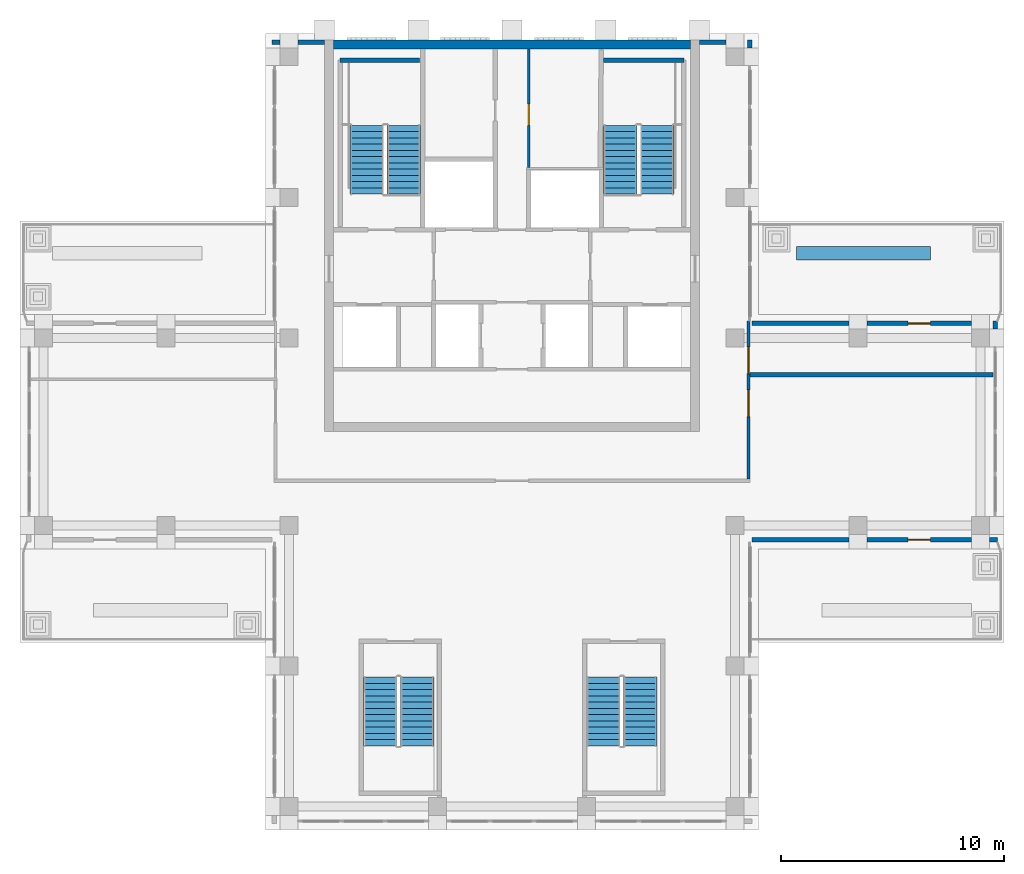
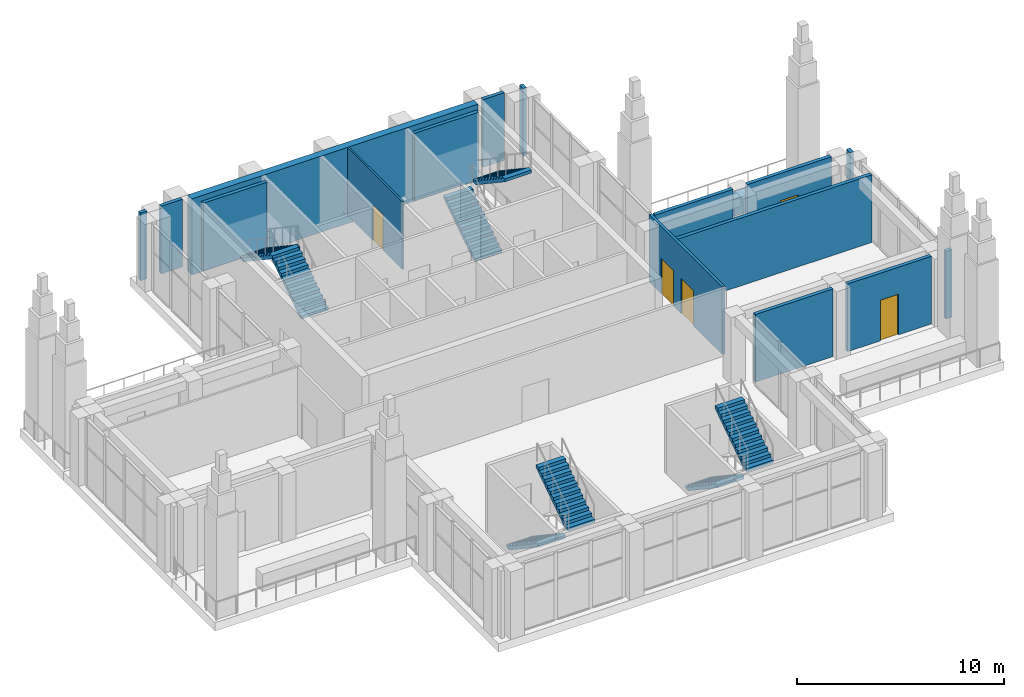
# One storey, part 10 of 14: 17 walls, 8 stair flights, 5 doors, 5 openings, 4 elements without a shape of their own.
"""IFC4 building model written with IfcOpenShell, lengths in metres."""

from ifc_helpers import new_model, si_unit, direction, frame, frame_2d, origin, place, context, subcontext, project, spatial, polyline, rectangle, outline, extrude, material, layer, layer_set, type_object, element, fill, aggregate, save


model = new_model("IFC4")

# Units and contexts
model_context = context("Model", 3, precision=1e-05, world=origin(), true_north=direction((0.0, 1.0)))
body_context = subcontext(model_context, "Body", "Model", "MODEL_VIEW")
ifc_project = project(units=[si_unit("LENGTHUNIT", "METRE"), si_unit("AREAUNIT", "SQUARE_METRE"), si_unit("VOLUMEUNIT", "CUBIC_METRE"), si_unit("PLANEANGLEUNIT", "RADIAN"), si_unit("MASSUNIT", "GRAM", prefix="KILO")], contexts=[model_context])

# Site, building, storey
site_placement = place(None, origin())
site = spatial("IfcSite", under=ifc_project, at=site_placement, CompositionType="ELEMENT")
building_placement = place(site_placement, origin())
building = spatial("IfcBuilding", under=site, at=building_placement, Name="Vermilion Ogive Tower", CompositionType="ELEMENT")
storey_placement = place(building_placement, frame((0.0, 0.0, 284.85009765625)))
storey = spatial("IfcBuildingStorey", under=building, at=storey_placement, Name="L74", CompositionType="ELEMENT", Elevation=284.85009765625)

# Wall
ifc_material_1 = material(Name="Concrete B60", Category="concrete")
ifc_layer_1 = layer(ifc_material_1, 0.39990234375)
ifc_layer_set_1 = layer_set([ifc_layer_1], Name="Core wall 400 B60")
wall_type_1 = type_object("IfcWallType", Name="Core wall 400 B60", PredefinedType="SHEAR", material=ifc_layer_set_1)
wall_1_placement = place(storey_placement, frame((-8.0, 21.550048828125, -0.5), z_axis=(0.0, 0.0, 1.0), x_axis=(1.0, 0.0, 0.0)))
element("IfcWall", 1, at=wall_1_placement, inside=storey, type_object=wall_type_1, Name="L74-CORE-N", PredefinedType="SHEAR", context=body_context, shape_type="SweptSolid", body=[
    extrude(rectangle(XDim=16.0, YDim=0.39990234375, at=frame_2d((8.0, 0.0))), origin(), (0.0, 0.0, 1.0), 4.5),
])

# Wall, opening, door
ifc_material_2 = material(Name="Gypsum board partition on steel studs", Category="steel")
ifc_layer_2 = layer(ifc_material_2, 0.10009765625)
ifc_layer_set_2 = layer_set([ifc_layer_2], Name="Partition 100 bath")
wall_type_2 = type_object("IfcWallType", Name="Partition 100 bath", PredefinedType="PARTITIONING", material=ifc_layer_set_2)
wall_2_placement = place(storey_placement, frame((0.75, 16.050048828125, 0.0), z_axis=(0.0, 0.0, 1.0), x_axis=(0.0, 1.0, 0.0)))
wall_2 = element("IfcWall", 2, at=wall_2_placement, inside=storey, type_object=wall_type_2, Name="L74-CK-W-W017", PredefinedType="PARTITIONING", context=body_context, shape_type="SweptSolid", body=[
    extrude(rectangle(XDim=5.299072265625, YDim=0.10009765625, at=frame_2d((2.6494140625, 0.0))), origin(), (0.0, 0.0, 1.0), 4.0),
])
opening_1_placement = place(wall_2_placement, frame((1.875, 0.0, 0.0)))
opening_1 = element("IfcOpeningElement", 3, at=opening_1_placement, cuts=wall_2, Name="Opening DAE047", PredefinedType="OPENING", context=body_context, shape_type="SweptSolid", body=[
    extrude(rectangle(XDim=0.949951171875, YDim=2.10009765625, at=frame_2d((0.47509765625, 1.050048828125))), frame((0.0, 0.06005859375, 0.0), z_axis=(0.0, -1.0, 0.0), x_axis=(1.0, 0.0, 0.0)), (0.0, 0.0, 1.0), 0.1201171875),
])
ifc_material_3 = material(Name="Timber door leaf", Category="wood")
door_type_1 = type_object("IfcDoorType", Name="Service door 950 x 2100 FD60", OperationType="SINGLE_SWING_LEFT", PredefinedType="DOOR", material=ifc_material_3)
door_1_placement = place(opening_1_placement, origin())
door_1 = element("IfcDoor", 4, at=door_1_placement, inside=storey, type_object=door_type_1, Name="L74-CK-D-D013", OperationType="SINGLE_SWING_LEFT", OverallHeight=2.10009765625, OverallWidth=0.949951171875, PredefinedType="DOOR", context=body_context, shape_type="SweptSolid", body=[
    extrude(rectangle(XDim=0.949951171875, YDim=2.10009765625, at=frame_2d((0.47509765625, 1.050048828125))), frame((0.0, 0.02490234375, 0.0), z_axis=(0.0, -1.0, 0.0), x_axis=(1.0, 0.0, 0.0)), (0.0, 0.0, 1.0), 0.050048828125),
])
fill(opening_1, door_1)

# Wall, openings, doors
ifc_material_4 = material(Name="Gypsum board partition on steel studs", Category="steel")
ifc_layer_3 = layer(ifc_material_4, 0.14990234375)
ifc_layer_set_3 = layer_set([ifc_layer_3], Name="Partition 150 corridor")
wall_type_3 = type_object("IfcWallType", Name="Partition 150 corridor", PredefinedType="PARTITIONING", material=ifc_layer_set_3)
wall_3_placement = place(storey_placement, frame((10.60009765625, 2.074951171875, 0.0), z_axis=(0.0, 0.0, 1.0), x_axis=(0.0, 1.0, 0.0)))
wall_3 = element("IfcWall", 5, at=wall_3_placement, inside=storey, type_object=wall_type_3, Name="L74-FS-W-W006", PredefinedType="PARTITIONING", context=body_context, shape_type="SweptSolid", body=[
    extrude(rectangle(XDim=7.074951171875, YDim=0.14990234375, at=frame_2d((3.53759765625, 0.0))), origin(), (0.0, 0.0, 1.0), 4.0),
])
opening_2_placement = place(wall_3_placement, frame((2.800048828125, 0.0, 0.0)))
opening_2 = element("IfcOpeningElement", 6, at=opening_2_placement, cuts=wall_3, Name="Opening L74S004", PredefinedType="OPENING", context=body_context, shape_type="SweptSolid", body=[
    extrude(rectangle(XDim=1.199951171875, YDim=2.10009765625, at=frame_2d((0.60009765625, 1.050048828125))), frame((0.0, 0.0849609375, 0.0), z_axis=(0.0, -1.0, 0.0), x_axis=(1.0, 0.0, 0.0)), (0.0, 0.0, 1.0), 0.169921875),
])
opening_3_placement = place(wall_3_placement, frame((4.724853515625, 0.0, 0.0)))
opening_3 = element("IfcOpeningElement", 7, at=opening_3_placement, cuts=wall_3, Name="Opening L74S005", PredefinedType="OPENING", context=body_context, shape_type="SweptSolid", body=[
    extrude(rectangle(XDim=1.199951171875, YDim=2.10009765625, at=frame_2d((0.60009765625, 1.050048828125))), frame((0.0, 0.0849609375, 0.0), z_axis=(0.0, -1.0, 0.0), x_axis=(1.0, 0.0, 0.0)), (0.0, 0.0, 1.0), 0.169921875),
])
ifc_material_5 = material(Name="Timber door leaf", Category="wood")
door_type_2 = type_object("IfcDoorType", Name="Room door 1200 x 2100 FD30", OperationType="SINGLE_SWING_LEFT", PredefinedType="DOOR", material=ifc_material_5)
door_2_placement = place(opening_2_placement, origin())
door_2 = element("IfcDoor", 8, at=door_2_placement, inside=storey, type_object=door_type_2, Name="L74-FS-D-D004", OperationType="SINGLE_SWING_LEFT", OverallHeight=2.10009765625, OverallWidth=1.199951171875, PredefinedType="DOOR", context=body_context, shape_type="SweptSolid", body=[
    extrude(rectangle(XDim=1.199951171875, YDim=2.10009765625, at=frame_2d((0.60009765625, 1.050048828125))), frame((0.0, 0.02490234375, 0.0), z_axis=(0.0, -1.0, 0.0), x_axis=(1.0, 0.0, 0.0)), (0.0, 0.0, 1.0), 0.050048828125),
])
fill(opening_2, door_2)
door_3_placement = place(opening_3_placement, origin())
door_3 = element("IfcDoor", 9, at=door_3_placement, inside=storey, type_object=door_type_2, Name="L74-FS-D-D005", OperationType="SINGLE_SWING_RIGHT", OverallHeight=2.10009765625, OverallWidth=1.199951171875, PredefinedType="DOOR", context=body_context, shape_type="SweptSolid", body=[
    extrude(rectangle(XDim=1.199951171875, YDim=2.10009765625, at=frame_2d((0.60009765625, 1.050048828125))), frame((0.0, 0.02490234375, 0.0), z_axis=(0.0, -1.0, 0.0), x_axis=(1.0, 0.0, 0.0)), (0.0, 0.0, 1.0), 0.050048828125),
])
fill(opening_3, door_3)

# Walls
ifc_material_6 = material(Name="Gypsum board partition on steel studs", Category="steel")
ifc_layer_4 = layer(ifc_material_6, 0.199951171875)
ifc_layer_set_4 = layer_set([ifc_layer_4], Name="Partition 200 party")
wall_type_4 = type_object("IfcWallType", Name="Partition 200 party", PredefinedType="PARTITIONING", material=ifc_layer_set_4)
wall_4_placement = place(storey_placement, frame((10.675048828125, 6.75, 0.0), z_axis=(0.0, 0.0, 1.0), x_axis=(1.0, 0.0, 0.0)))
element("IfcWall", 10, at=wall_4_placement, inside=storey, type_object=wall_type_4, Name="L74-FS-W-W003", PredefinedType="PARTITIONING", context=body_context, shape_type="SweptSolid", body=[
    extrude(rectangle(XDim=10.875, YDim=0.199951171875, at=frame_2d((5.4375, 0.0))), origin(), (0.0, 0.0, 1.0), 4.0),
])
ifc_material_7 = material(Name="Concrete B60", Category="concrete")
ifc_layer_5 = layer(ifc_material_7, 0.199951171875)
ifc_layer_set_5 = layer_set([ifc_layer_5], Name="Stair shaft wall 200 Concrete B60")
wall_type_5 = type_object("IfcWallType", Name="Stair shaft wall 200 Concrete B60", PredefinedType="SOLIDWALL", material=ifc_layer_set_5)
wall_5_placement = place(storey_placement, frame((-7.699951171875, 20.85009765625, 0.0), z_axis=(0.0, 0.0, 1.0), x_axis=(1.0, 0.0, 0.0)))
element("IfcWall", 11, at=wall_5_placement, inside=storey, type_object=wall_type_5, Name="L74-SW-R003-N1", PredefinedType="SOLIDWALL", context=body_context, shape_type="SweptSolid", body=[
    extrude(rectangle(XDim=3.550048828125, YDim=0.199951171875, at=frame_2d((1.77490234375, 0.0))), origin(), (0.0, 0.0, 1.0), 4.0),
])
wall_6_placement = place(storey_placement, frame((4.10009765625, 20.85009765625, 0.0), z_axis=(0.0, 0.0, 1.0), x_axis=(1.0, 0.0, 0.0)))
element("IfcWall", 12, at=wall_6_placement, inside=storey, type_object=wall_type_5, Name="L74-SW-R007-N1", PredefinedType="SOLIDWALL", context=body_context, shape_type="SweptSolid", body=[
    extrude(rectangle(XDim=3.599853515625, YDim=0.199951171875, at=frame_2d((1.7998046875, 0.0))), origin(), (0.0, 0.0, 1.0), 4.0),
])
ifc_material_8 = material(Name="Concrete B40", Category="concrete")
ifc_layer_6 = layer(ifc_material_8, 0.60009765625)
ifc_layer_set_6 = layer_set([ifc_layer_6], Name="Terrace planter")
wall_type_6 = type_object("IfcWallType", Name="Terrace planter", PredefinedType="USERDEFINED", material=ifc_layer_set_6)
wall_7_placement = place(storey_placement, frame((12.75, 12.199951171875, 0.0), z_axis=(0.0, 0.0, 1.0), x_axis=(1.0, 0.0, 0.0)))
element("IfcWall", 13, at=wall_7_placement, inside=storey, type_object=wall_type_6, Name="Terrace planter 3.1.1", ObjectType="PLANTER", PredefinedType="USERDEFINED", context=body_context, shape_type="SweptSolid", body=[
    extrude(rectangle(XDim=6.0, YDim=0.60009765625, at=frame_2d((3.0, 0.0))), origin(), (0.0, 0.0, 1.0), 1.0),
])
ifc_material_9 = material(Name="Aluminium window wall framing", Category="aluminium")
ifc_layer_7 = layer(ifc_material_9, 0.199951171875)
ifc_layer_set_7 = layer_set([ifc_layer_7], Name="Window wall")
wall_type_7 = type_object("IfcWallType", Name="Window wall", PredefinedType="STANDARD", material=ifc_layer_set_7)
wall_8_placement = place(storey_placement, frame((10.75, -0.64990234375, 0.0), z_axis=(0.0, 0.0, 1.0), x_axis=(1.0, 0.0, 0.0)))
element("IfcWall", 14, at=wall_8_placement, inside=storey, type_object=wall_type_7, Name="Window wall X21", PredefinedType="STANDARD", context=body_context, shape_type="SweptSolid", body=[
    extrude(rectangle(XDim=4.35009765625, YDim=0.199951171875, at=frame_2d((2.175048828125, 0.0))), origin(), (0.0, 0.0, 1.0), 4.0),
])

# Wall, opening, door
wall_9_placement = place(storey_placement, frame((15.89990234375, -0.64990234375, 0.0), z_axis=(0.0, 0.0, 1.0), x_axis=(1.0, 0.0, 0.0)))
wall_9 = element("IfcWall", 15, at=wall_9_placement, inside=storey, type_object=wall_type_7, Name="Window wall X22", PredefinedType="STANDARD", context=body_context, shape_type="SweptSolid", body=[
    extrude(rectangle(XDim=4.7001953125, YDim=0.199951171875, at=frame_2d((2.35009765625, 0.0))), origin(), (0.0, 0.0, 1.0), 4.0),
])
opening_4_placement = place(wall_9_placement, frame((1.85009765625, 0.0, 0.0)))
opening_4 = element("IfcOpeningElement", 16, at=opening_4_placement, cuts=wall_9, Name="Opening D1-X2X", PredefinedType="OPENING", context=body_context, shape_type="SweptSolid", body=[
    extrude(rectangle(XDim=1.0, YDim=2.39990234375, at=frame_2d((0.5, 1.199951171875))), frame((0.0, 0.10986328125, 0.0), z_axis=(0.0, -1.0, 0.0), x_axis=(1.0, 0.0, 0.0)), (0.0, 0.0, 1.0), 0.219970703125),
])
ifc_material_10 = material(Name="Aluminium framed glazed door", Category="aluminium")
door_type_3 = type_object("IfcDoorType", Name="Balcony door D1", OperationType="SINGLE_SWING_LEFT", PredefinedType="DOOR", material=ifc_material_10)
door_4_placement = place(opening_4_placement, origin())
door_4 = element("IfcDoor", 17, at=door_4_placement, inside=storey, type_object=door_type_3, Name="Balcony door X2X", OperationType="SINGLE_SWING_LEFT", OverallHeight=2.39990234375, OverallWidth=1.0, PredefinedType="DOOR", context=body_context, shape_type="SweptSolid", body=[
    extrude(rectangle(XDim=1.0, YDim=2.39990234375, at=frame_2d((0.5, 1.199951171875))), frame((0.0, 0.02490234375, 0.0), z_axis=(0.0, -1.0, 0.0), x_axis=(1.0, 0.0, 0.0)), (0.0, 0.0, 1.0), 0.050048828125),
])
fill(opening_4, door_4)

# Walls
wall_10_placement = place(storey_placement, frame((21.39990234375, -0.64990234375, 0.0), z_axis=(0.0, 0.0, 1.0), x_axis=(1.0, 0.0, 0.0)))
element("IfcWall", 18, at=wall_10_placement, inside=storey, type_object=wall_type_7, Name="Window wall X23", PredefinedType="STANDARD", context=body_context, shape_type="SweptSolid", body=[
    extrude(rectangle(XDim=0.35009765625, YDim=0.199951171875, at=frame_2d((0.175048828125, 0.0))), origin(), (0.0, 0.0, 1.0), 4.0),
])
wall_11_placement = place(storey_placement, frame((21.64990234375, 8.800048828125, 0.0), z_axis=(0.0, 0.0, 1.0), x_axis=(0.0, 1.0, 0.0)))
element("IfcWall", 19, at=wall_11_placement, inside=storey, type_object=wall_type_7, Name="Window wall E2", PredefinedType="STANDARD", context=body_context, shape_type="SweptSolid", body=[
    extrude(rectangle(XDim=0.349853515625, YDim=0.199951171875, at=frame_2d((0.1748046875, 0.0))), origin(), (0.0, 0.0, 1.0), 4.0),
])

# Wall, opening, door
wall_12_placement = place(storey_placement, frame((20.60009765625, 9.050048828125, 0.0), z_axis=(0.0, 0.0, 1.0), x_axis=(-1.0, 0.0, 0.0)))
wall_12 = element("IfcWall", 20, at=wall_12_placement, inside=storey, type_object=wall_type_7, Name="Window wall X31", PredefinedType="STANDARD", context=body_context, shape_type="SweptSolid", body=[
    extrude(rectangle(XDim=4.7001953125, YDim=0.199951171875, at=frame_2d((2.35009765625, 0.0))), origin(), (0.0, 0.0, 1.0), 4.0),
])
opening_5_placement = place(wall_12_placement, frame((1.85009765625, 0.0, 0.0)))
opening_5 = element("IfcOpeningElement", 21, at=opening_5_placement, cuts=wall_12, Name="Opening D1-X3X", PredefinedType="OPENING", context=body_context, shape_type="SweptSolid", body=[
    extrude(rectangle(XDim=1.0, YDim=2.39990234375, at=frame_2d((0.5, 1.199951171875))), frame((0.0, 0.10986328125, 0.0), z_axis=(0.0, -1.0, 0.0), x_axis=(1.0, 0.0, 0.0)), (0.0, 0.0, 1.0), 0.219970703125),
])
door_5_placement = place(opening_5_placement, origin())
door_5 = element("IfcDoor", 22, at=door_5_placement, inside=storey, type_object=door_type_3, Name="Balcony door X3X", OperationType="SINGLE_SWING_LEFT", OverallHeight=2.39990234375, OverallWidth=1.0, PredefinedType="DOOR", context=body_context, shape_type="SweptSolid", body=[
    extrude(rectangle(XDim=1.0, YDim=2.39990234375, at=frame_2d((0.5, 1.199951171875))), frame((0.0, 0.02490234375, 0.0), z_axis=(0.0, -1.0, 0.0), x_axis=(1.0, 0.0, 0.0)), (0.0, 0.0, 1.0), 0.050048828125),
])
fill(opening_5, door_5)

# Walls
wall_13_placement = place(storey_placement, frame((15.10009765625, 9.050048828125, 0.0), z_axis=(0.0, 0.0, 1.0), x_axis=(-1.0, 0.0, 0.0)))
element("IfcWall", 23, at=wall_13_placement, inside=storey, type_object=wall_type_7, Name="Window wall X32", PredefinedType="STANDARD", context=body_context, shape_type="SweptSolid", body=[
    extrude(rectangle(XDim=4.35009765625, YDim=0.199951171875, at=frame_2d((2.175048828125, 0.0))), origin(), (0.0, 0.0, 1.0), 4.0),
])
wall_14_placement = place(storey_placement, frame((10.64990234375, 21.39990234375, 0.0), z_axis=(0.0, 0.0, 1.0), x_axis=(0.0, 1.0, 0.0)))
element("IfcWall", 24, at=wall_14_placement, inside=storey, type_object=wall_type_7, Name="Window wall X43", PredefinedType="STANDARD", context=body_context, shape_type="SweptSolid", body=[
    extrude(rectangle(XDim=0.35009765625, YDim=0.199951171875, at=frame_2d((0.175048828125, 0.0))), origin(), (0.0, 0.0, 1.0), 4.0),
])
for number, where, z_axis, x_axis, name in (
    (25, (9.60009765625, 21.64990234375, 0.0), (0.0, 0.0, 1.0), (-1.0, 0.0, 0.0), "Window wall N11"),
    (26, (-8.39990234375, 21.64990234375, 0.0), (0.0, 0.0, 1.0), (-1.0, 0.0, 0.0), "Window wall N21"),
):
    element("IfcWall", number, at=place(storey_placement, frame(where, z_axis=z_axis, x_axis=x_axis)), inside=storey, type_object=wall_type_7, Name=name, PredefinedType="STANDARD", context=body_context, shape_type="SweptSolid", body=[
        extrude(rectangle(XDim=1.2001953125, YDim=0.199951171875, at=frame_2d((0.60009765625, 0.0))), origin(), (0.0, 0.0, 1.0), 4.0),
    ])
wall_15_placement = place(storey_placement, frame((-10.39990234375, 21.64990234375, 0.0), z_axis=(0.0, 0.0, 1.0), x_axis=(-1.0, 0.0, 0.0)))
element("IfcWall", 27, at=wall_15_placement, inside=storey, type_object=wall_type_7, Name="Window wall N22", PredefinedType="STANDARD", context=body_context, shape_type="SweptSolid", body=[
    extrude(rectangle(XDim=0.35009765625, YDim=0.199951171875, at=frame_2d((0.175048828125, 0.0))), origin(), (0.0, 0.0, 1.0), 4.0),
])

# Stair, stair flights
ifc_material_11 = material(Name="Concrete B40", Category="concrete")
stair_type = type_object("IfcStairType", Name="Exit stair 1500", PredefinedType="HALF_TURN_STAIR", material=ifc_material_11)
stair_1_placement = place(storey_placement, origin())
stair_1 = element("IfcStair", 28, at=stair_1_placement, inside=storey, type_object=stair_type, Name="L74 Exit Stair ST1", PredefinedType="HALF_TURN_STAIR")
ifc_material_12 = material(Name="Concrete B40", Category="concrete")
stair_flight_type = type_object("IfcStairFlightType", Name="Stair flight 1500", PredefinedType="STRAIGHT", material=ifc_material_12)
stair_flight_1_placement = place(storey_placement, frame((-4.85009765625, 14.85009765625, 0.0), z_axis=(0.0, 0.0, 1.0), x_axis=(0.0, 1.0, 0.0)))
stair_flight_1 = element("IfcStairFlight", 29, at=stair_flight_1_placement, type_object=stair_flight_type, Name="ST1 flight 1", NumberOfRisers=12, NumberOfTreads=11, PredefinedType="STRAIGHT", RiserHeight=0.1875, TreadLength=0.28, context=body_context, shape_type="SweptSolid", body=[
    extrude(outline(polyline([(0.0, 0.0), (0.0, 0.1875), (0.280029296875, 0.1875), (0.280029296875, 0.375), (0.56005859375, 0.375), (0.56005859375, 0.5625), (0.840087890625, 0.5625), (0.840087890625, 0.75), (1.1201171875, 0.75), (1.1201171875, 0.9375), (1.39990234375, 0.9375), (1.39990234375, 1.125), (1.679931640625, 1.125), (1.679931640625, 1.3125), (1.9599609375, 1.3125), (1.9599609375, 1.5), (2.239990234375, 1.5), (2.239990234375, 1.6875), (2.52001953125, 1.6875), (2.52001953125, 1.875), (2.800048828125, 1.875), (2.800048828125, 2.0625), (3.080078125, 2.0625), (3.080078125, 2.25), (3.080078125, 1.882080078125), (0.26953125, 0.0), (0.0, 0.0)])), frame((0.0, 0.75, 0.0), z_axis=(0.0, -1.0, 0.0), x_axis=(1.0, 0.0, 0.0)), (0.0, 0.0, 1.0), 1.5),
])
stair_flight_2_placement = place(storey_placement, frame((-6.5, 17.929931640625, 2.25), z_axis=(0.0, 0.0, 1.0), x_axis=(0.0, -1.0, 0.0)))
stair_flight_2 = element("IfcStairFlight", 30, at=stair_flight_2_placement, type_object=stair_flight_type, Name="ST1 flight 2", NumberOfRisers=12, NumberOfTreads=11, PredefinedType="STRAIGHT", RiserHeight=0.1875, TreadLength=0.28, context=body_context, shape_type="SweptSolid", body=[
    extrude(outline(polyline([(0.0, 0.0), (0.0, 0.1875), (0.280029296875, 0.1875), (0.280029296875, 0.375), (0.56005859375, 0.375), (0.56005859375, 0.5625), (0.840087890625, 0.5625), (0.840087890625, 0.75), (1.1201171875, 0.75), (1.1201171875, 0.9375), (1.39990234375, 0.9375), (1.39990234375, 1.125), (1.679931640625, 1.125), (1.679931640625, 1.3125), (1.9599609375, 1.3125), (1.9599609375, 1.5), (2.239990234375, 1.5), (2.239990234375, 1.6875), (2.52001953125, 1.6875), (2.52001953125, 1.875), (2.800048828125, 1.875), (2.800048828125, 2.0625), (3.080078125, 2.0625), (3.080078125, 2.25), (3.080078125, 1.882080078125), (0.26953125, 0.0), (0.0, 0.0)])), frame((0.0, 0.75, 0.0), z_axis=(0.0, -1.0, 0.0), x_axis=(1.0, 0.0, 0.0)), (0.0, 0.0, 1.0), 1.5),
])
aggregate(stair_1, [stair_flight_1, stair_flight_2])

stair_2_placement = place(storey_placement, origin())
stair_2 = element("IfcStair", 31, at=stair_2_placement, inside=storey, type_object=stair_type, Name="L74 Exit Stair ST2", PredefinedType="HALF_TURN_STAIR")
stair_flight_3_placement = place(storey_placement, frame((4.85009765625, 14.85009765625, 0.0), z_axis=(0.0, 0.0, 1.0), x_axis=(0.0, 1.0, 0.0)))
stair_flight_3 = element("IfcStairFlight", 32, at=stair_flight_3_placement, type_object=stair_flight_type, Name="ST2 flight 1", NumberOfRisers=12, NumberOfTreads=11, PredefinedType="STRAIGHT", RiserHeight=0.1875, TreadLength=0.28, context=body_context, shape_type="SweptSolid", body=[
    extrude(outline(polyline([(0.0, 0.0), (0.0, 0.1875), (0.280029296875, 0.1875), (0.280029296875, 0.375), (0.56005859375, 0.375), (0.56005859375, 0.5625), (0.840087890625, 0.5625), (0.840087890625, 0.75), (1.1201171875, 0.75), (1.1201171875, 0.9375), (1.39990234375, 0.9375), (1.39990234375, 1.125), (1.679931640625, 1.125), (1.679931640625, 1.3125), (1.9599609375, 1.3125), (1.9599609375, 1.5), (2.239990234375, 1.5), (2.239990234375, 1.6875), (2.52001953125, 1.6875), (2.52001953125, 1.875), (2.800048828125, 1.875), (2.800048828125, 2.0625), (3.080078125, 2.0625), (3.080078125, 2.25), (3.080078125, 1.882080078125), (0.26953125, 0.0), (0.0, 0.0)])), frame((0.0, 0.75, 0.0), z_axis=(0.0, -1.0, 0.0), x_axis=(1.0, 0.0, 0.0)), (0.0, 0.0, 1.0), 1.5),
])
stair_flight_4_placement = place(storey_placement, frame((6.5, 17.929931640625, 2.25), z_axis=(0.0, 0.0, 1.0), x_axis=(0.0, -1.0, 0.0)))
stair_flight_4 = element("IfcStairFlight", 33, at=stair_flight_4_placement, type_object=stair_flight_type, Name="ST2 flight 2", NumberOfRisers=12, NumberOfTreads=11, PredefinedType="STRAIGHT", RiserHeight=0.1875, TreadLength=0.28, context=body_context, shape_type="SweptSolid", body=[
    extrude(outline(polyline([(0.0, 0.0), (0.0, 0.1875), (0.280029296875, 0.1875), (0.280029296875, 0.375), (0.56005859375, 0.375), (0.56005859375, 0.5625), (0.840087890625, 0.5625), (0.840087890625, 0.75), (1.1201171875, 0.75), (1.1201171875, 0.9375), (1.39990234375, 0.9375), (1.39990234375, 1.125), (1.679931640625, 1.125), (1.679931640625, 1.3125), (1.9599609375, 1.3125), (1.9599609375, 1.5), (2.239990234375, 1.5), (2.239990234375, 1.6875), (2.52001953125, 1.6875), (2.52001953125, 1.875), (2.800048828125, 1.875), (2.800048828125, 2.0625), (3.080078125, 2.0625), (3.080078125, 2.25), (3.080078125, 1.882080078125), (0.26953125, 0.0), (0.0, 0.0)])), frame((0.0, 0.75, 0.0), z_axis=(0.0, -1.0, 0.0), x_axis=(1.0, 0.0, 0.0)), (0.0, 0.0, 1.0), 1.5),
])
aggregate(stair_2, [stair_flight_3, stair_flight_4])

stair_3_placement = place(storey_placement, origin())
stair_3 = element("IfcStair", 34, at=stair_3_placement, inside=storey, type_object=stair_type, Name="L74 Exit Stair ST6", PredefinedType="HALF_TURN_STAIR")
stair_flight_5_placement = place(storey_placement, frame((4.10009765625, -6.800048828125, 0.0), z_axis=(0.0, 0.0, 1.0), x_axis=(0.0, -1.0, 0.0)))
stair_flight_5 = element("IfcStairFlight", 35, at=stair_flight_5_placement, type_object=stair_flight_type, Name="ST6 flight 1", NumberOfRisers=12, NumberOfTreads=11, PredefinedType="STRAIGHT", RiserHeight=0.1875, TreadLength=0.28, context=body_context, shape_type="SweptSolid", body=[
    extrude(outline(polyline([(0.0, 0.0), (0.0, 0.1875), (0.280029296875, 0.1875), (0.280029296875, 0.375), (0.56005859375, 0.375), (0.56005859375, 0.5625), (0.840087890625, 0.5625), (0.840087890625, 0.75), (1.1201171875, 0.75), (1.1201171875, 0.9375), (1.39990234375, 0.9375), (1.39990234375, 1.125), (1.679931640625, 1.125), (1.679931640625, 1.3125), (1.9599609375, 1.3125), (1.9599609375, 1.5), (2.239990234375, 1.5), (2.239990234375, 1.6875), (2.52001953125, 1.6875), (2.52001953125, 1.875), (2.800048828125, 1.875), (2.800048828125, 2.0625), (3.080078125, 2.0625), (3.080078125, 2.25), (3.080078125, 1.882080078125), (0.26953125, 0.0), (0.0, 0.0)])), frame((0.0, 0.75, 0.0), z_axis=(0.0, -1.0, 0.0), x_axis=(1.0, 0.0, 0.0)), (0.0, 0.0, 1.0), 1.5),
])
stair_flight_6_placement = place(storey_placement, frame((5.75, -9.8798828125, 2.25), z_axis=(0.0, 0.0, 1.0), x_axis=(0.0, 1.0, 0.0)))
stair_flight_6 = element("IfcStairFlight", 36, at=stair_flight_6_placement, type_object=stair_flight_type, Name="ST6 flight 2", NumberOfRisers=12, NumberOfTreads=11, PredefinedType="STRAIGHT", RiserHeight=0.1875, TreadLength=0.28, context=body_context, shape_type="SweptSolid", body=[
    extrude(outline(polyline([(0.0, 0.0), (0.0, 0.1875), (0.280029296875, 0.1875), (0.280029296875, 0.375), (0.56005859375, 0.375), (0.56005859375, 0.5625), (0.840087890625, 0.5625), (0.840087890625, 0.75), (1.1201171875, 0.75), (1.1201171875, 0.9375), (1.39990234375, 0.9375), (1.39990234375, 1.125), (1.679931640625, 1.125), (1.679931640625, 1.3125), (1.9599609375, 1.3125), (1.9599609375, 1.5), (2.239990234375, 1.5), (2.239990234375, 1.6875), (2.52001953125, 1.6875), (2.52001953125, 1.875), (2.800048828125, 1.875), (2.800048828125, 2.0625), (3.080078125, 2.0625), (3.080078125, 2.25), (3.080078125, 1.882080078125), (0.26953125, 0.0), (0.0, 0.0)])), frame((0.0, 0.75, 0.0), z_axis=(0.0, -1.0, 0.0), x_axis=(1.0, 0.0, 0.0)), (0.0, 0.0, 1.0), 1.5),
])
aggregate(stair_3, [stair_flight_5, stair_flight_6])

stair_4_placement = place(storey_placement, origin())
stair_4 = element("IfcStair", 37, at=stair_4_placement, inside=storey, type_object=stair_type, Name="L74 Exit Stair ST7", PredefinedType="HALF_TURN_STAIR")
stair_flight_7_placement = place(storey_placement, frame((-5.89990234375, -6.800048828125, 0.0), z_axis=(0.0, 0.0, 1.0), x_axis=(0.0, -1.0, 0.0)))
stair_flight_7 = element("IfcStairFlight", 38, at=stair_flight_7_placement, type_object=stair_flight_type, Name="ST7 flight 1", NumberOfRisers=12, NumberOfTreads=11, PredefinedType="STRAIGHT", RiserHeight=0.1875, TreadLength=0.28, context=body_context, shape_type="SweptSolid", body=[
    extrude(outline(polyline([(0.0, 0.0), (0.0, 0.1875), (0.280029296875, 0.1875), (0.280029296875, 0.375), (0.56005859375, 0.375), (0.56005859375, 0.5625), (0.840087890625, 0.5625), (0.840087890625, 0.75), (1.1201171875, 0.75), (1.1201171875, 0.9375), (1.39990234375, 0.9375), (1.39990234375, 1.125), (1.679931640625, 1.125), (1.679931640625, 1.3125), (1.9599609375, 1.3125), (1.9599609375, 1.5), (2.239990234375, 1.5), (2.239990234375, 1.6875), (2.52001953125, 1.6875), (2.52001953125, 1.875), (2.800048828125, 1.875), (2.800048828125, 2.0625), (3.080078125, 2.0625), (3.080078125, 2.25), (3.080078125, 1.882080078125), (0.26953125, 0.0), (0.0, 0.0)])), frame((0.0, 0.75, 0.0), z_axis=(0.0, -1.0, 0.0), x_axis=(1.0, 0.0, 0.0)), (0.0, 0.0, 1.0), 1.5),
])
stair_flight_8_placement = place(storey_placement, frame((-4.25, -9.8798828125, 2.25), z_axis=(0.0, 0.0, 1.0), x_axis=(0.0, 1.0, 0.0)))
stair_flight_8 = element("IfcStairFlight", 39, at=stair_flight_8_placement, type_object=stair_flight_type, Name="ST7 flight 2", NumberOfRisers=12, NumberOfTreads=11, PredefinedType="STRAIGHT", RiserHeight=0.1875, TreadLength=0.28, context=body_context, shape_type="SweptSolid", body=[
    extrude(outline(polyline([(0.0, 0.0), (0.0, 0.1875), (0.280029296875, 0.1875), (0.280029296875, 0.375), (0.56005859375, 0.375), (0.56005859375, 0.5625), (0.840087890625, 0.5625), (0.840087890625, 0.75), (1.1201171875, 0.75), (1.1201171875, 0.9375), (1.39990234375, 0.9375), (1.39990234375, 1.125), (1.679931640625, 1.125), (1.679931640625, 1.3125), (1.9599609375, 1.3125), (1.9599609375, 1.5), (2.239990234375, 1.5), (2.239990234375, 1.6875), (2.52001953125, 1.6875), (2.52001953125, 1.875), (2.800048828125, 1.875), (2.800048828125, 2.0625), (3.080078125, 2.0625), (3.080078125, 2.25), (3.080078125, 1.882080078125), (0.26953125, 0.0), (0.0, 0.0)])), frame((0.0, 0.75, 0.0), z_axis=(0.0, -1.0, 0.0), x_axis=(1.0, 0.0, 0.0)), (0.0, 0.0, 1.0), 1.5),
])
aggregate(stair_4, [stair_flight_7, stair_flight_8])

save(model, "model.ifc")
